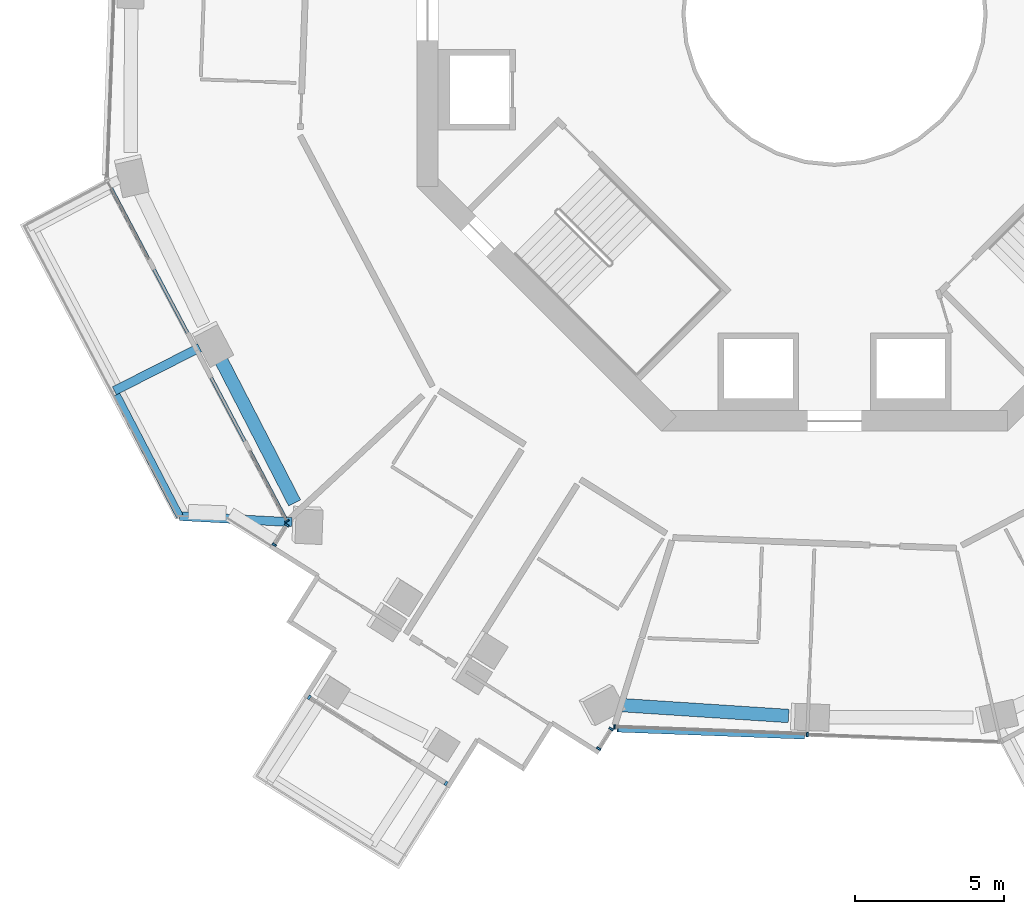
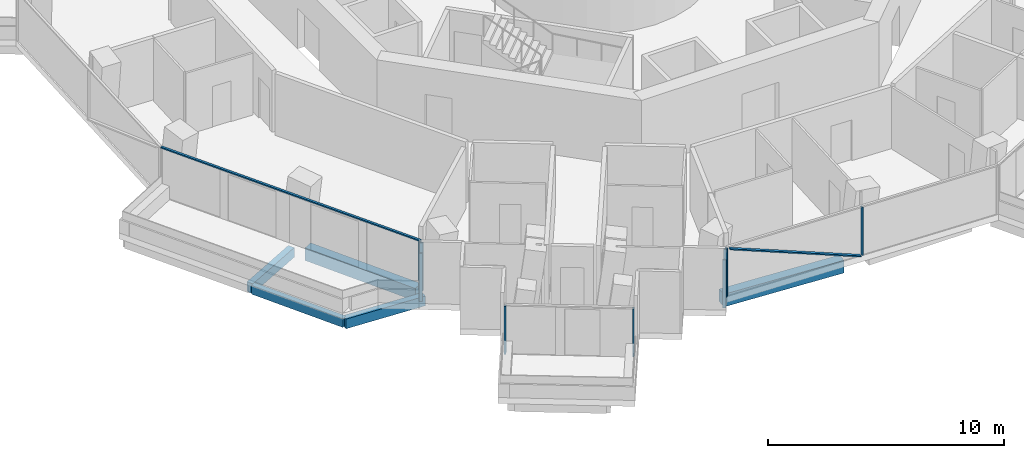
# One storey, part 2 of 23: 11 members, 5 beams, 5 elements without a shape of their own.
"""IFC4 building model written with IfcOpenShell, lengths in metres."""

from ifc_helpers import new_model, si_unit, direction, frame, origin, origin_2d, place, context, subcontext, project, spatial, rectangle, extrude, material, layer, layer_set, material_profile, profile_set, type_object, element, aggregate, save


model = new_model("IFC4")

# Units and contexts
model_context = context("Model", 3, precision=1e-05, world=origin(), true_north=direction((0.0, 1.0)))
body_context = subcontext(model_context, "Body", "Model", "MODEL_VIEW")
ifc_project = project(units=[si_unit("LENGTHUNIT", "METRE"), si_unit("AREAUNIT", "SQUARE_METRE"), si_unit("VOLUMEUNIT", "CUBIC_METRE"), si_unit("PLANEANGLEUNIT", "RADIAN"), si_unit("MASSUNIT", "GRAM", prefix="KILO")], contexts=[model_context])

# Site, building, storey
site_placement = place(None, origin())
site = spatial("IfcSite", under=ifc_project, at=site_placement, CompositionType="ELEMENT")
building_placement = place(site_placement, origin())
building = spatial("IfcBuilding", under=site, at=building_placement, Name="Verdalira Terraces Hotel", CompositionType="ELEMENT")
storey_placement = place(building_placement, frame((0.0, 0.0, 147.0)))
storey = spatial("IfcBuildingStorey", under=building, at=storey_placement, Name="L35", CompositionType="ELEMENT", Elevation=147.0)

# Beams
ifc_material_1 = material(Name="Concrete C40", Category="concrete")
ifc_material_profile_1 = material_profile(ifc_material_1, rectangle(XDim=0.300049, YDim=0.5, at=origin_2d()), Name="RC 300X500")
ifc_profile_set_1 = profile_set([ifc_material_profile_1], Name="Concrete C40")
beam_type_1 = type_object("IfcBeamType", Name="Balcony cantilever beam RC 300X500 C40", PredefinedType="BEAM", material=ifc_profile_set_1)
beam_1_placement = place(storey_placement, frame((-21.293213, -11.19751, -0.560059), z_axis=(-0.891942274, -0.45214929, 0.0), x_axis=(0.45214929, -0.891942274, 0.0)))
element("IfcBeam", 1, at=beam_1_placement, inside=storey, type_object=beam_type_1, Name="Balcony cantilever beam R13-2", PredefinedType="BEAM", context=body_context, shape_type="SweptSolid", body=[
    extrude(rectangle(XDim=0.300049, YDim=0.5, at=origin_2d()), origin(), (0.0, 0.0, 1.0), 3.200928),
])
beam_2_placement = place(storey_placement, frame((-18.197266, -17.051514, -0.560059), z_axis=(-0.998515644, 0.054465667, 0.0), x_axis=(-0.054465667, -0.998515644, 0.0)))
element("IfcBeam", 2, at=beam_2_placement, inside=storey, type_object=beam_type_1, Name="Balcony cantilever beam R13-3", PredefinedType="BEAM", context=body_context, shape_type="SweptSolid", body=[
    extrude(rectangle(XDim=0.300049, YDim=0.5, at=origin_2d()), origin(), (0.0, 0.0, 1.0), 3.769775),
])
ifc_material_2 = material(Name="Concrete C40", Category="concrete")
ifc_material_profile_2 = material_profile(ifc_material_2, rectangle(XDim=0.25, YDim=0.449951, at=origin_2d()), Name="RC 250X450")
ifc_profile_set_2 = profile_set([ifc_material_profile_2], Name="Concrete C40")
beam_type_2 = type_object("IfcBeamType", Name="Balcony edge beam RC 250X450 C40", PredefinedType="BEAM", material=ifc_profile_set_2)
beam_3_placement = place(storey_placement, frame((-24.079102, -12.777832, -0.534912), z_axis=(0.461718068, -0.887026733, 0.0), x_axis=(0.887026733, 0.461718068, 0.0)))
element("IfcBeam", 3, at=beam_3_placement, inside=storey, type_object=beam_type_2, Name="Balcony edge beam R13-2", PredefinedType="BEAM", context=body_context, shape_type="SweptSolid", body=[
    extrude(rectangle(XDim=0.25, YDim=0.449951, at=origin_2d()), origin(), (0.0, 0.0, 1.0), 4.586426),
])

# Curtain wall, member
ifc_material_3 = material(Name="Clear glass", Category="glass")
ifc_layer_1 = layer(ifc_material_3, 0.14990234375)
ifc_layer_set_1 = layer_set([ifc_layer_1], Name="CW1 curtain wall")
curtain_wall_type_1 = type_object("IfcCurtainWallType", Name="CW1 curtain wall", PredefinedType="NOTDEFINED", material=ifc_layer_set_1)
curtain_wall_1_placement = place(storey_placement, origin())
curtain_wall_1 = element("IfcCurtainWall", 4, at=curtain_wall_1_placement, inside=storey, type_object=curtain_wall_type_1, Name="CW1 curtain wall L35 edge 13", PredefinedType="NOTDEFINED")
ifc_material_4 = material(Name="Terracotta frame", Category="masonry")
ifc_material_profile_3 = material_profile(ifc_material_4, rectangle(XDim=0.060059, YDim=0.149902, at=origin_2d()), Name="MU 60x150")
ifc_profile_set_3 = profile_set([ifc_material_profile_3], Name="Terracotta frame")
member_type_1 = type_object("IfcMemberType", Name="CW1 mullion 60x150", PredefinedType="MULLION", material=ifc_profile_set_3)
member_1_placement = place(storey_placement, frame((-18.362793, -17.014893, 0.0), z_axis=(0.0, 0.0, 1.0), x_axis=(0.467004081, -0.88425516, 0.0)))
member_1 = element("IfcMember", 5, at=member_1_placement, type_object=member_type_1, Name="CW1 mullion", PredefinedType="MULLION", context=body_context, shape_type="SweptSolid", body=[
    extrude(rectangle(XDim=0.060059, YDim=0.149902, at=origin_2d()), origin(), (0.0, 0.0, 1.0), 2.475098),
])

# Curtain wall, members
curtain_wall_2_placement = place(storey_placement, origin())
curtain_wall_2 = element("IfcCurtainWall", 6, at=curtain_wall_2_placement, inside=storey, type_object=curtain_wall_type_1, Name="CW1 curtain wall L35 edge 25", PredefinedType="NOTDEFINED")
member_2_placement = place(storey_placement, frame((-7.376953, -23.922363, 0.0), z_axis=(0.0, 0.0, 1.0), x_axis=(0.999289473, -0.037690183, 0.0)))
member_2 = element("IfcMember", 7, at=member_2_placement, type_object=member_type_1, Name="CW1 mullion", PredefinedType="MULLION", context=body_context, shape_type="SweptSolid", body=[
    extrude(rectangle(XDim=0.060059, YDim=0.149902, at=origin_2d()), origin(), (0.0, 0.0, 1.0), 2.475098),
])
member_3_placement = place(storey_placement, frame((-0.911377, -24.16626, 0.0), z_axis=(0.0, 0.0, 1.0), x_axis=(0.999289473, -0.037690183, 0.0)))
member_3 = element("IfcMember", 8, at=member_3_placement, type_object=member_type_1, Name="CW1 mullion", PredefinedType="MULLION", context=body_context, shape_type="SweptSolid", body=[
    extrude(rectangle(XDim=0.060059, YDim=0.149902, at=origin_2d()), origin(), (0.0, 0.0, 1.0), 2.475098),
])

# Member
ifc_material_5 = material(Name="Terracotta frame", Category="masonry")
ifc_material_profile_4 = material_profile(ifc_material_5, rectangle(XDim=0.110107, YDim=0.064941, at=origin_2d()), Name="TR 65x110")
ifc_profile_set_4 = profile_set([ifc_material_profile_4], Name="Terracotta frame")
member_type_2 = type_object("IfcMemberType", Name="CW1 transom 65x110", PredefinedType="USERDEFINED", material=ifc_profile_set_4)
member_4_placement = place(storey_placement, frame((-24.400879, -5.581543, 2.507568), z_axis=(0.467003762, -0.884255329, 0.0), x_axis=(0.884255329, 0.467003762, 0.0)))
member_4 = element("IfcMember", 9, at=member_4_placement, type_object=member_type_2, Name="CW1 transom", ObjectType="TRANSOM", PredefinedType="USERDEFINED", context=body_context, shape_type="SweptSolid", body=[
    extrude(rectangle(XDim=0.110107, YDim=0.064941, at=origin_2d()), origin(), (0.0, 0.0, 1.0), 12.959717),
])

aggregate(curtain_wall_1, [member_1, member_4])

# Curtain wall, members
ifc_material_6 = material(Name="Clear glass", Category="glass")
ifc_layer_2 = layer(ifc_material_6, 0.14990234375)
ifc_layer_set_2 = layer_set([ifc_layer_2], Name="CW2 curtain wall")
curtain_wall_type_2 = type_object("IfcCurtainWallType", Name="CW2 curtain wall", PredefinedType="NOTDEFINED", material=ifc_layer_set_2)
curtain_wall_3_placement = place(storey_placement, origin())
curtain_wall_3 = element("IfcCurtainWall", 10, at=curtain_wall_3_placement, inside=storey, type_object=curtain_wall_type_2, Name="CW2 curtain wall L35 edge 14", PredefinedType="NOTDEFINED")
ifc_material_7 = material(Name="Terracotta frame", Category="masonry")
ifc_material_profile_5 = material_profile(ifc_material_7, rectangle(XDim=0.070068, YDim=0.149902, at=origin_2d()), Name="MU 70x150")
ifc_profile_set_5 = profile_set([ifc_material_profile_5], Name="Terracotta frame")
member_type_3 = type_object("IfcMemberType", Name="CW2 mullion 70x150", PredefinedType="MULLION", material=ifc_profile_set_5)
member_5_placement = place(storey_placement, frame((-18.370117, -17.145996, 0.0), z_axis=(0.0, 0.0, 1.0), x_axis=(-0.532285392, -0.846564978, 0.0)))
member_5 = element("IfcMember", 11, at=member_5_placement, type_object=member_type_3, Name="CW2 mullion", PredefinedType="MULLION", context=body_context, shape_type="SweptSolid", body=[
    extrude(rectangle(XDim=0.070068, YDim=0.149902, at=origin_2d()), origin(), (0.0, 0.0, 1.0), 2.475098),
])
member_6_placement = place(storey_placement, frame((-18.7854, -17.806152, 0.0), z_axis=(0.0, 0.0, 1.0), x_axis=(-0.532285392, -0.846564978, 0.0)))
member_6 = element("IfcMember", 12, at=member_6_placement, type_object=member_type_3, Name="CW2 mullion", PredefinedType="MULLION", context=body_context, shape_type="SweptSolid", body=[
    extrude(rectangle(XDim=0.070068, YDim=0.149902, at=origin_2d()), origin(), (0.0, 0.0, 1.0), 2.475098),
])
aggregate(curtain_wall_3, [member_5, member_6])

curtain_wall_4_placement = place(storey_placement, origin())
curtain_wall_4 = element("IfcCurtainWall", 13, at=curtain_wall_4_placement, inside=storey, type_object=curtain_wall_type_2, Name="CW2 curtain wall L35 edge 24", PredefinedType="NOTDEFINED")
member_7_placement = place(storey_placement, frame((-7.906982, -24.64624, 0.0), z_axis=(0.0, 0.0, 1.0), x_axis=(0.532285392, 0.846564978, 0.0)))
member_7 = element("IfcMember", 14, at=member_7_placement, type_object=member_type_3, Name="CW2 mullion", PredefinedType="MULLION", context=body_context, shape_type="SweptSolid", body=[
    extrude(rectangle(XDim=0.070068, YDim=0.149902, at=origin_2d()), origin(), (0.0, 0.0, 1.0), 2.475098),
])
member_8_placement = place(storey_placement, frame((-7.491699, -23.98584, 0.0), z_axis=(0.0, 0.0, 1.0), x_axis=(0.532285392, 0.846564978, 0.0)))
member_8 = element("IfcMember", 15, at=member_8_placement, type_object=member_type_3, Name="CW2 mullion", PredefinedType="MULLION", context=body_context, shape_type="SweptSolid", body=[
    extrude(rectangle(XDim=0.070068, YDim=0.149902, at=origin_2d()), origin(), (0.0, 0.0, 1.0), 2.475098),
])
aggregate(curtain_wall_4, [member_7, member_8])

ifc_material_8 = material(Name="Clear glass", Category="glass")
ifc_layer_3 = layer(ifc_material_8, 0.14990234375)
ifc_layer_set_3 = layer_set([ifc_layer_3], Name="CW3 curtain wall")
curtain_wall_type_3 = type_object("IfcCurtainWallType", Name="CW3 curtain wall", PredefinedType="NOTDEFINED", material=ifc_layer_set_3)
curtain_wall_5_placement = place(storey_placement, origin())
curtain_wall_5 = element("IfcCurtainWall", 16, at=curtain_wall_5_placement, inside=storey, type_object=curtain_wall_type_3, Name="CW3 curtain wall L35 edge 19", PredefinedType="NOTDEFINED")
ifc_material_9 = material(Name="Terracotta frame", Category="masonry")
ifc_material_profile_6 = material_profile(ifc_material_9, rectangle(XDim=0.080078, YDim=0.149902, at=origin_2d()), Name="MU 80x150")
ifc_profile_set_6 = profile_set([ifc_material_profile_6], Name="Terracotta frame")
member_type_4 = type_object("IfcMemberType", Name="CW3 mullion 80x150", PredefinedType="MULLION", material=ifc_profile_set_6)
member_9_placement = place(storey_placement, frame((-17.615234, -22.924561, 0.0), z_axis=(0.0, 0.0, 1.0), x_axis=(0.846564978, -0.532285392, 0.0)))
member_9 = element("IfcMember", 17, at=member_9_placement, type_object=member_type_4, Name="CW3 mullion", PredefinedType="MULLION", context=body_context, shape_type="SweptSolid", body=[
    extrude(rectangle(XDim=0.080078, YDim=0.149902, at=origin_2d()), origin(), (0.0, 0.0, 1.0), 2.475098),
])
member_10_placement = place(storey_placement, frame((-13.026855, -25.80957, 0.0), z_axis=(0.0, 0.0, 1.0), x_axis=(0.846564978, -0.532285392, 0.0)))
member_10 = element("IfcMember", 18, at=member_10_placement, type_object=member_type_4, Name="CW3 mullion", PredefinedType="MULLION", context=body_context, shape_type="SweptSolid", body=[
    extrude(rectangle(XDim=0.080078, YDim=0.149902, at=origin_2d()), origin(), (0.0, 0.0, 1.0), 2.475098),
])
aggregate(curtain_wall_5, [member_9, member_10])

# Member
ifc_material_10 = material(Name="Terracotta frame", Category="masonry")
ifc_material_profile_7 = material_profile(ifc_material_10, rectangle(XDim=0.149902, YDim=0.060059, at=origin_2d()), Name="GB 60x150")
ifc_profile_set_7 = profile_set([ifc_material_profile_7], Name="Terracotta frame")
member_type_5 = type_object("IfcMemberType", Name="Diagonal glazing bar 60x150", PredefinedType="USERDEFINED", material=ifc_profile_set_7)
member_11_placement = place(storey_placement, frame((-7.275879, -24.015137, 2.446289), z_axis=(0.932217568, -0.03517459, -0.36018489), x_axis=(0.037705337, 0.999288901, 0.0)))
member_11 = element("IfcMember", 19, at=member_11_placement, type_object=member_type_5, Name="Diagonal glazing bar", ObjectType="GLAZING BAR", PredefinedType="USERDEFINED", context=body_context, shape_type="SweptSolid", body=[
    extrude(rectangle(XDim=0.149902, YDim=0.060059, at=origin_2d()), origin(), (0.0, 0.0, 1.0), 6.71167),
])

aggregate(curtain_wall_2, [member_2, member_3, member_11])

# Beams
ifc_material_11 = material(Name="Concrete C50", Category="concrete")
ifc_material_profile_8 = material_profile(ifc_material_11, rectangle(XDim=0.449951, YDim=0.649902, at=origin_2d()), Name="RC 450X650")
ifc_profile_set_8 = profile_set([ifc_material_profile_8], Name="Concrete C50")
beam_type_3 = type_object("IfcBeamType", Name="Spandrel beam RC 450X650 C50", PredefinedType="SPANDREL", material=ifc_profile_set_8)
beam_4_placement = place(storey_placement, frame((-20.644287, -11.475098, -0.63501), z_axis=(0.457854311, -0.889027238, 0.0), x_axis=(0.889027238, 0.457854311, 0.0)))
element("IfcBeam", 20, at=beam_4_placement, inside=storey, type_object=beam_type_3, Name="Spandrel beam B07", PredefinedType="SPANDREL", context=body_context, shape_type="SweptSolid", body=[
    extrude(rectangle(XDim=0.449951, YDim=0.649902, at=origin_2d()), origin(), (0.0, 0.0, 1.0), 5.544922),
])
beam_5_placement = place(storey_placement, frame((-7.199707, -23.181396, -0.63501), z_axis=(0.997879741, -0.065084728, 0.0), x_axis=(0.065084728, 0.997879741, 0.0)))
element("IfcBeam", 21, at=beam_5_placement, inside=storey, type_object=beam_type_3, Name="Spandrel beam B09", PredefinedType="SPANDREL", context=body_context, shape_type="SweptSolid", body=[
    extrude(rectangle(XDim=0.449951, YDim=0.649902, at=origin_2d()), origin(), (0.0, 0.0, 1.0), 5.671631),
])

save(model, "model.ifc")
